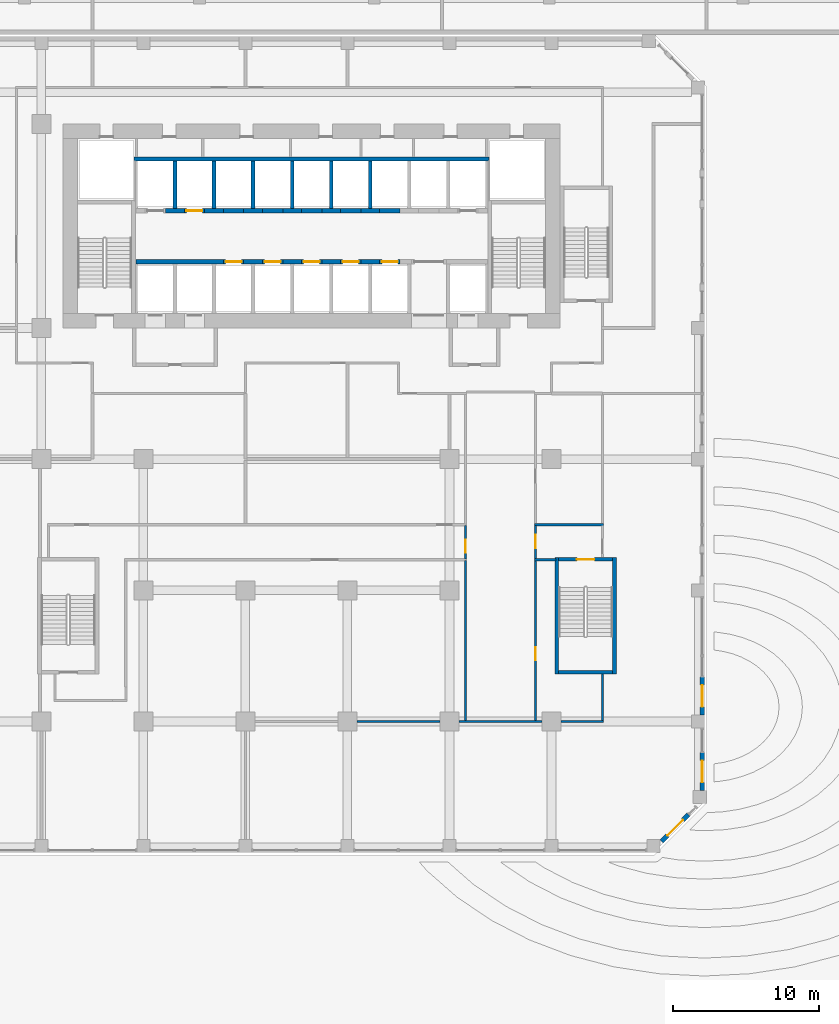
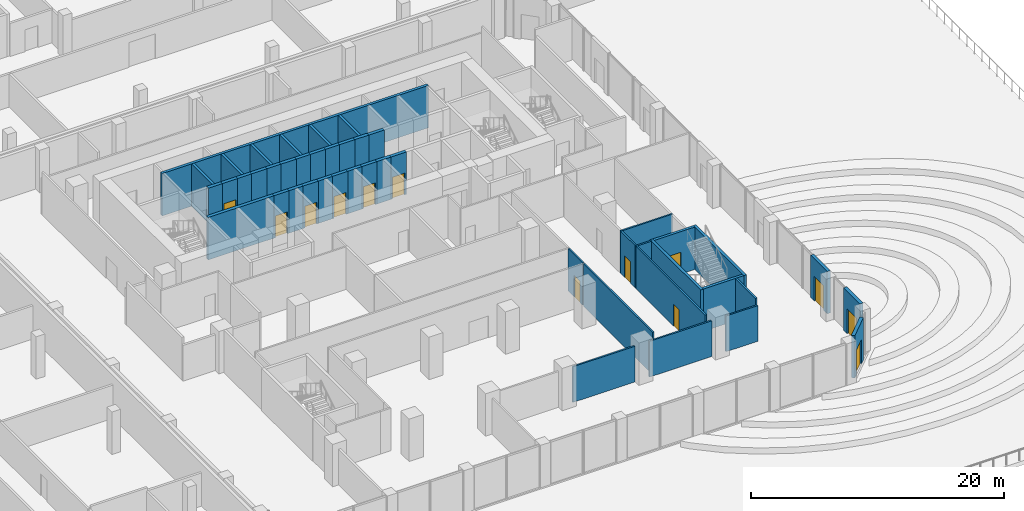
# One storey, part 22 of 38: 46 walls, 13 doors, 13 openings.
"""IFC4 building model written with IfcOpenShell, lengths in metres."""

from ifc_helpers import new_model, si_unit, direction, frame, frame_2d, origin, place, context, subcontext, project, spatial, rectangle, extrude, source, transform, mapped, material, layer, layer_set, type_object, element, fill, save


model = new_model("IFC4")

# Units and contexts
model_context = context("Model", 3, precision=1e-05, world=origin(), true_north=direction((0.0, 1.0)))
body_context = subcontext(model_context, "Body", "Model", "MODEL_VIEW")
ifc_project = project(units=[si_unit("LENGTHUNIT", "METRE"), si_unit("AREAUNIT", "SQUARE_METRE"), si_unit("VOLUMEUNIT", "CUBIC_METRE"), si_unit("PLANEANGLEUNIT", "RADIAN"), si_unit("MASSUNIT", "GRAM", prefix="KILO")], contexts=[model_context])

# Site, building, storey
site_placement = place(None, origin())
site = spatial("IfcSite", under=ifc_project, at=site_placement, CompositionType="ELEMENT")
building_placement = place(site_placement, origin())
building = spatial("IfcBuilding", under=site, at=building_placement, Name="Kilnfold Tower and Market Hall", CompositionType="ELEMENT")
storey_placement = place(building_placement, frame((0.0, 0.0, 9.0)))
storey = spatial("IfcBuildingStorey", under=building, at=storey_placement, Name="L01", CompositionType="ELEMENT", Elevation=9.0)

# Walls
ifc_material_1 = material(Name="Gypsum board on steel studs", Category="steel")
ifc_layer_1 = layer(ifc_material_1, 0.14990234375)
ifc_layer_set_1 = layer_set([ifc_layer_1], Name="Gypsum board on steel studs")
wall_type_1 = type_object("IfcWallType", Name="WALL CORRIDOR 150", PredefinedType="PARTITIONING", material=ifc_layer_set_1)
for number, where, z_axis, x_axis, name in (
    (1, (4.14990234375, -19.0, 0.0), (0.0, 0.0, 1.0), (1.0, 0.0, 0.0), "Partition LY02.4"),
    (2, (11.14990234375, -19.0, 0.0), (0.0, 0.0, 1.0), (1.0, 0.0, 0.0), "Partition LY02.5"),
):
    element("IfcWall", number, at=place(storey_placement, frame(where, z_axis=z_axis, x_axis=x_axis)), inside=storey, type_object=wall_type_1, Name=name, PredefinedType="PARTITIONING", context=body_context, shape_type="SweptSolid", body=[
        extrude(rectangle(XDim=5.7001953125, YDim=0.14990234375, at=frame_2d((2.85009765625, 0.0))), origin(), (0.0, 0.0, 1.0), 3.449951171875),
    ])
wall_1_placement = place(storey_placement, frame((18.14990234375, -19.0, 0.0), z_axis=(0.0, 0.0, 1.0), x_axis=(1.0, 0.0, 0.0)))
element("IfcWall", 3, at=wall_1_placement, inside=storey, type_object=wall_type_1, Name="Partition LY02.8", PredefinedType="PARTITIONING", context=body_context, shape_type="SweptSolid", body=[
    extrude(rectangle(XDim=2.925048828125, YDim=0.14990234375, at=frame_2d((1.46240234375, 0.0))), origin(), (0.0, 0.0, 1.0), 3.449951171875),
])
wall_2_placement = place(storey_placement, frame((21.0, -18.925048828125, 0.0), z_axis=(0.0, 0.0, 1.0), x_axis=(0.0, 1.0, 0.0)))
element("IfcWall", 4, at=wall_2_placement, inside=storey, type_object=wall_type_1, Name="Partition LY02.9", PredefinedType="PARTITIONING", context=body_context, shape_type="SweptSolid", body=[
    extrude(rectangle(XDim=3.175048828125, YDim=0.14990234375, at=frame_2d((1.58740234375, 0.0))), origin(), (0.0, 0.0, 1.0), 4.10009765625),
])

# Wall, opening, door
wall_3_placement = place(storey_placement, frame((11.60009765625, -7.8349609375, 0.0), z_axis=(0.0, 0.0, 1.0), x_axis=(0.0, 1.0, 0.0)))
wall_3 = element("IfcWall", 5, at=wall_3_placement, inside=storey, type_object=wall_type_1, Name="Partition LY02.10", PredefinedType="PARTITIONING", context=body_context, shape_type="SweptSolid", body=[
    extrude(rectangle(XDim=2.27001953125, YDim=0.14990234375, at=frame_2d((1.135009765625, 0.0))), origin(), (0.0, 0.0, 1.0), 4.10009765625),
])
opening_1_placement = place(wall_3_placement, frame((0.416015625, 0.0, 0.0)))
opening_1 = element("IfcOpeningElement", 6, at=opening_1_placement, cuts=wall_3, Name="Opening D2", PredefinedType="OPENING", context=body_context, shape_type="SweptSolid", body=[
    extrude(rectangle(XDim=0.89990234375, YDim=2.10009765625, at=frame_2d((0.449951171875, 1.050048828125))), frame((0.0, 0.0849609375, 0.0), z_axis=(0.0, -1.0, 0.0), x_axis=(1.0, 0.0, 0.0)), (0.0, 0.0, 1.0), 0.169921875),
])
ifc_material_2 = material(Name="Timber veneer door leaf in steel frame", Category="steel")
door_type_1 = type_object("IfcDoorType", Name="DOOR ROOM 900 X2100", OperationType="NOTDEFINED", PredefinedType="DOOR", material=ifc_material_2)
door_1_placement = place(opening_1_placement, origin())
door_1 = element("IfcDoor", 7, at=door_1_placement, inside=storey, type_object=door_type_1, Name="Door D2", OperationType="SINGLE_SWING_RIGHT", OverallHeight=2.10009765625, OverallWidth=0.89990234375, PredefinedType="DOOR", context=body_context, shape_type="SweptSolid", body=[
    extrude(rectangle(XDim=0.89990234375, YDim=2.10009765625, at=frame_2d((0.449951171875, 1.050048828125))), frame((0.0, 0.02490234375, 0.0), z_axis=(0.0, -1.0, 0.0), x_axis=(1.0, 0.0, 0.0)), (0.0, 0.0, 1.0), 0.050048828125),
])
fill(opening_1, door_1)

wall_4_placement = place(storey_placement, frame((16.39990234375, -7.8349609375, 0.0), z_axis=(0.0, 0.0, 1.0), x_axis=(0.0, 1.0, 0.0)))
wall_4 = element("IfcWall", 8, at=wall_4_placement, inside=storey, type_object=wall_type_1, Name="Partition LY02.11", PredefinedType="PARTITIONING", context=body_context, shape_type="SweptSolid", body=[
    extrude(rectangle(XDim=2.27001953125, YDim=0.14990234375, at=frame_2d((1.135009765625, 0.0))), origin(), (0.0, 0.0, 1.0), 4.10009765625),
])
opening_2_placement = place(wall_4_placement, frame((0.739013671875, 0.0, 0.0)))
opening_2 = element("IfcOpeningElement", 9, at=opening_2_placement, cuts=wall_4, Name="Opening D2", PredefinedType="OPENING", context=body_context, shape_type="SweptSolid", body=[
    extrude(rectangle(XDim=0.89990234375, YDim=2.10009765625, at=frame_2d((0.449951171875, 1.050048828125))), frame((0.0, 0.0849609375, 0.0), z_axis=(0.0, -1.0, 0.0), x_axis=(1.0, 0.0, 0.0)), (0.0, 0.0, 1.0), 0.169921875),
])
door_2_placement = place(opening_2_placement, origin())
door_2 = element("IfcDoor", 10, at=door_2_placement, inside=storey, type_object=door_type_1, Name="Door D2", OperationType="SINGLE_SWING_RIGHT", OverallHeight=2.10009765625, OverallWidth=0.89990234375, PredefinedType="DOOR", context=body_context, shape_type="SweptSolid", body=[
    extrude(rectangle(XDim=0.89990234375, YDim=2.10009765625, at=frame_2d((0.449951171875, 1.050048828125))), frame((0.0, 0.02490234375, 0.0), z_axis=(0.0, -1.0, 0.0), x_axis=(1.0, 0.0, 0.0)), (0.0, 0.0, 1.0), 0.050048828125),
])
fill(opening_2, door_2)

# Wall
wall_5_placement = place(storey_placement, frame((11.60009765625, -18.925048828125, 0.0), z_axis=(0.0, 0.0, 1.0), x_axis=(0.0, 1.0, 0.0)))
element("IfcWall", 11, at=wall_5_placement, inside=storey, type_object=wall_type_1, Name="Partition LY02.13", PredefinedType="PARTITIONING", context=body_context, shape_type="SweptSolid", body=[
    extrude(rectangle(XDim=10.958984375, YDim=0.14990234375, at=frame_2d((5.4794921875, 0.0))), origin(), (0.0, 0.0, 1.0), 4.10009765625),
])

# Wall, opening, door
wall_6_placement = place(storey_placement, frame((16.39990234375, -18.925048828125, 0.0), z_axis=(0.0, 0.0, 1.0), x_axis=(0.0, 1.0, 0.0)))
wall_6 = element("IfcWall", 12, at=wall_6_placement, inside=storey, type_object=wall_type_1, Name="Partition LY02.16", PredefinedType="PARTITIONING", context=body_context, shape_type="SweptSolid", body=[
    extrude(rectangle(XDim=10.958984375, YDim=0.14990234375, at=frame_2d((5.4794921875, 0.0))), origin(), (0.0, 0.0, 1.0), 4.10009765625),
])
opening_3_placement = place(wall_6_placement, frame((4.1240234375, 0.0, 0.0)))
opening_3 = element("IfcOpeningElement", 13, at=opening_3_placement, cuts=wall_6, Name="Opening D2", PredefinedType="OPENING", context=body_context, shape_type="SweptSolid", body=[
    extrude(rectangle(XDim=0.89990234375, YDim=2.10009765625, at=frame_2d((0.449951171875, 1.050048828125))), frame((0.0, 0.0849609375, 0.0), z_axis=(0.0, -1.0, 0.0), x_axis=(1.0, 0.0, 0.0)), (0.0, 0.0, 1.0), 0.169921875),
])
door_3_placement = place(opening_3_placement, origin())
door_3 = element("IfcDoor", 14, at=door_3_placement, inside=storey, type_object=door_type_1, Name="Door D2", OperationType="SINGLE_SWING_RIGHT", OverallHeight=2.10009765625, OverallWidth=0.89990234375, PredefinedType="DOOR", context=body_context, shape_type="SweptSolid", body=[
    extrude(rectangle(XDim=0.89990234375, YDim=2.10009765625, at=frame_2d((0.449951171875, 1.050048828125))), frame((0.0, 0.02490234375, 0.0), z_axis=(0.0, -1.0, 0.0), x_axis=(1.0, 0.0, 0.0)), (0.0, 0.0, 1.0), 0.050048828125),
])
fill(opening_3, door_3)

# Walls
wall_7_placement = place(storey_placement, frame((16.324951171875, -5.5, 0.0), z_axis=(0.0, 0.0, 1.0), x_axis=(1.0, 0.0, 0.0)))
element("IfcWall", 15, at=wall_7_placement, inside=storey, type_object=wall_type_1, Name="Partition LY02.25", PredefinedType="PARTITIONING", context=body_context, shape_type="SweptSolid", body=[
    extrude(rectangle(XDim=4.75, YDim=0.14990234375, at=frame_2d((2.375, 0.0))), origin(), (0.0, 0.0, 1.0), 4.10009765625),
])
wall_8_placement = place(storey_placement, frame((16.324951171875, -7.89990234375, 0.0), z_axis=(0.0, 0.0, 1.0), x_axis=(1.0, 0.0, 0.0)))
element("IfcWall", 16, at=wall_8_placement, inside=storey, type_object=wall_type_1, Name="Partition LY02.26", PredefinedType="PARTITIONING", context=body_context, shape_type="SweptSolid", body=[
    extrude(rectangle(XDim=1.47509765625, YDim=0.14990234375, at=frame_2d((0.737548828125, 0.0))), origin(), (0.0, 0.0, 1.0), 4.10009765625),
])
ifc_material_3 = material(Name="Concrete C80", Category="concrete")
ifc_layer_2 = layer(ifc_material_3, 0.25)
ifc_layer_set_2 = layer_set([ifc_layer_2], Name="Concrete C80")
wall_type_2 = type_object("IfcWallType", Name="CORE WALL 250 C80", PredefinedType="SHEAR", material=ifc_layer_set_2)
shared_shape_1 = source(origin(), body_context, "Body", "SweptSolid", [
    extrude(rectangle(XDim=3.699951171875, YDim=0.25, at=frame_2d((1.85009765625, 0.0))), origin(), (0.0, 0.0, 1.0), 4.10009765625),
])
wall_9_placement = place(storey_placement, frame((18.0, -15.625, 0.0), z_axis=(0.0, 0.0, 1.0), x_axis=(1.0, 0.0, 0.0)))
element("IfcWall", 17, at=wall_9_placement, inside=storey, type_object=wall_type_2, Name="Stair enclosure ST4", PredefinedType="SHEAR", context=body_context, shape_type="MappedRepresentation", body=[
    mapped(shared_shape_1, transform((0.0, 0.0, 0.0))),
])

# Wall, opening, door
wall_10_placement = place(storey_placement, frame((18.0, -7.875, 0.0), z_axis=(0.0, 0.0, 1.0), x_axis=(1.0, 0.0, 0.0)))
wall_10 = element("IfcWall", 18, at=wall_10_placement, inside=storey, type_object=wall_type_2, Name="Stair enclosure ST4", PredefinedType="SHEAR", context=body_context, shape_type="MappedRepresentation", body=[
    mapped(shared_shape_1, transform((0.0, 0.0, 0.0))),
])
opening_4_placement = place(wall_10_placement, frame((1.25, 0.0, 0.0)))
opening_4 = element("IfcOpeningElement", 19, at=opening_4_placement, cuts=wall_10, Name="Opening SD1", PredefinedType="OPENING", context=body_context, shape_type="SweptSolid", body=[
    extrude(rectangle(XDim=1.199951171875, YDim=2.10009765625, at=frame_2d((0.60009765625, 1.050048828125))), frame((0.0, 0.135009765625, 0.0), z_axis=(0.0, -1.0, 0.0), x_axis=(1.0, 0.0, 0.0)), (0.0, 0.0, 1.0), 0.27001953125),
])
ifc_material_4 = material(Name="Steel door set with fire-resisting leaf", Category="steel")
door_type_2 = type_object("IfcDoorType", Name="STAIR FLOOR DOOR 1200X2100", OperationType="NOTDEFINED", PredefinedType="DOOR", material=ifc_material_4)
door_4_placement = place(opening_4_placement, origin())
door_4 = element("IfcDoor", 20, at=door_4_placement, inside=storey, type_object=door_type_2, Name="Exit stair ST4 door", OperationType="DOUBLE_DOOR_SINGLE_SWING", OverallHeight=2.10009765625, OverallWidth=1.199951171875, PredefinedType="DOOR", context=body_context, shape_type="SweptSolid", body=[
    extrude(rectangle(XDim=1.199951171875, YDim=2.10009765625, at=frame_2d((0.60009765625, 1.050048828125))), frame((0.0, 0.02490234375, 0.0), z_axis=(0.0, -1.0, 0.0), x_axis=(1.0, 0.0, 0.0)), (0.0, 0.0, 1.0), 0.050048828125),
])
fill(opening_4, door_4)

# Walls
shared_shape_2 = source(origin(), body_context, "Body", "SweptSolid", [
    extrude(rectangle(XDim=8.0, YDim=0.25, at=frame_2d((4.0, 0.0))), origin(), (0.0, 0.0, 1.0), 4.10009765625),
])
for number, where, z_axis, x_axis, name in (
    (21, (17.875, -15.75, 0.0), (0.0, 0.0, 1.0), (0.0, 1.0, 0.0), "Stair enclosure ST4"),
    (22, (21.824951171875, -15.75, 0.0), (0.0, 0.0, 1.0), (0.0, 1.0, 0.0), "Stair enclosure ST4"),
):
    element("IfcWall", number, at=place(storey_placement, frame(where, z_axis=z_axis, x_axis=x_axis)), inside=storey, type_object=wall_type_2, Name=name, PredefinedType="SHEAR", context=body_context, shape_type="MappedRepresentation", body=[
        mapped(shared_shape_2, transform((0.0, 0.0, 0.0))),
    ])
ifc_material_5 = material(Name="Concrete C80", Category="concrete")
ifc_layer_3 = layer(ifc_material_5, 0.300048828125)
ifc_layer_set_3 = layer_set([ifc_layer_3], Name="Concrete C80")
wall_type_3 = type_object("IfcWallType", Name="CORE WALL 300 C80", PredefinedType="SHEAR", material=ifc_layer_set_3)
shared_shape_3 = source(origin(), body_context, "Body", "SweptSolid", [
    extrude(rectangle(XDim=6.0, YDim=0.300048828125, at=frame_2d((3.0, 0.0))), origin(), (0.0, 0.0, 1.0), 4.10009765625),
])
wall_11_placement = place(storey_placement, frame((-11.010009765625, 12.550048828125, 0.0), z_axis=(0.0, 0.0, 1.0), x_axis=(1.0, 0.0, 0.0)))
element("IfcWall", 23, at=wall_11_placement, inside=storey, type_object=wall_type_3, Name="Core spine wall", PredefinedType="SHEAR", context=body_context, shape_type="MappedRepresentation", body=[
    mapped(shared_shape_3, transform((0.0, 0.0, 0.0))),
])
shared_shape_4 = source(origin(), body_context, "Body", "SweptSolid", [
    extrude(rectangle(XDim=1.280029296875, YDim=0.300048828125, at=frame_2d((0.64013671875, 0.0))), origin(), (0.0, 0.0, 1.0), 4.10009765625),
])
for number, where, z_axis, x_axis, name in (
    (24, (-3.610107421875, 12.550048828125, 0.0), (0.0, 0.0, 1.0), (1.0, 0.0, 0.0), "Core spine wall"),
    (25, (-0.929931640625, 12.550048828125, 0.0), (0.0, 0.0, 1.0), (1.0, 0.0, 0.0), "Core spine wall"),
    (26, (1.75, 12.550048828125, 0.0), (0.0, 0.0, 1.0), (1.0, 0.0, 0.0), "Core spine wall"),
    (27, (4.429931640625, 12.550048828125, 0.0), (0.0, 0.0, 1.0), (1.0, 0.0, 0.0), "Core spine wall"),
    (28, (-8.969970703125, 16.050048828125, 0.0), (0.0, 0.0, 1.0), (1.0, 0.0, 0.0), "Core spine wall"),
    (29, (-6.2900390625, 16.050048828125, 0.0), (0.0, 0.0, 1.0), (1.0, 0.0, 0.0), "Core spine wall"),
    (30, (-3.610107421875, 16.050048828125, 0.0), (0.0, 0.0, 1.0), (1.0, 0.0, 0.0), "Core spine wall"),
    (31, (-0.929931640625, 16.050048828125, 0.0), (0.0, 0.0, 1.0), (1.0, 0.0, 0.0), "Core spine wall"),
    (32, (1.75, 16.050048828125, 0.0), (0.0, 0.0, 1.0), (1.0, 0.0, 0.0), "Core spine wall"),
    (33, (4.429931640625, 16.050048828125, 0.0), (0.0, 0.0, 1.0), (1.0, 0.0, 0.0), "Core spine wall"),
):
    element("IfcWall", number, at=place(storey_placement, frame(where, z_axis=z_axis, x_axis=x_axis)), inside=storey, type_object=wall_type_3, Name=name, PredefinedType="SHEAR", context=body_context, shape_type="MappedRepresentation", body=[
        mapped(shared_shape_4, transform((0.0, 0.0, 0.0))),
    ])

# Wall, opening, door
ifc_material_6 = material(Name="Precast concrete C50/60", Category="concrete")
ifc_layer_4 = layer(ifc_material_6, 0.300048828125)
ifc_layer_set_4 = layer_set([ifc_layer_4], Name="Precast concrete C50/60")
wall_type_4 = type_object("IfcWallType", Name="PRECAST WALL 300", PredefinedType="SOLIDWALL", material=ifc_layer_set_4)
shared_shape_5 = source(origin(), body_context, "Body", "SweptSolid", [
    extrude(rectangle(XDim=2.60009765625, YDim=0.300048828125, at=frame_2d((1.300048828125, 0.0))), origin(), (0.0, 0.0, 1.0), 4.10009765625),
])
wall_12_placement = place(storey_placement, frame((25.06884765625, -27.218994140625, 0.0), z_axis=(0.0, 0.0, 1.0), x_axis=(0.707153729152, 0.707059830104, 0.0)))
wall_12 = element("IfcWall", 34, at=wall_12_placement, inside=storey, type_object=wall_type_4, Name="Deck door wall L01 SE", PredefinedType="SOLIDWALL", context=body_context, shape_type="MappedRepresentation", body=[
    mapped(shared_shape_5, transform((0.0, 0.0, 0.0))),
])
opening_5_placement = place(wall_12_placement, frame((0.550048828125, 0.0, 0.0)))
opening_5 = element("IfcOpeningElement", 35, at=opening_5_placement, cuts=wall_12, Name="Opening DD1", PredefinedType="OPENING", context=body_context, shape_type="SweptSolid", body=[
    extrude(rectangle(XDim=1.5, YDim=2.39990234375, at=frame_2d((0.75, 1.199951171875))), frame((0.0, 0.16015625, 0.0), z_axis=(0.0, -1.0, 0.0), x_axis=(1.0, 0.0, 0.0)), (0.0, 0.0, 1.0), 0.320068359375),
])
ifc_material_7 = material(Name="Aluminium frame and toughened glass", Category="aluminium")
door_type_3 = type_object("IfcDoorType", Name="DECK DOOR 1500X2400", OperationType="NOTDEFINED", PredefinedType="DOOR", material=ifc_material_7)
door_5_placement = place(opening_5_placement, origin())
door_5 = element("IfcDoor", 36, at=door_5_placement, inside=storey, type_object=door_type_3, Name="Garden deck door DD1 L01 SE-1", OperationType="DOUBLE_DOOR_SINGLE_SWING", OverallHeight=2.39990234375, OverallWidth=1.5, PredefinedType="DOOR", context=body_context, shape_type="SweptSolid", body=[
    extrude(rectangle(XDim=1.5, YDim=2.39990234375, at=frame_2d((0.75, 1.199951171875))), frame((0.0, 0.02490234375, 0.0), z_axis=(0.0, -1.0, 0.0), x_axis=(1.0, 0.0, 0.0)), (0.0, 0.0, 1.0), 0.050048828125),
])
fill(opening_5, door_5)

wall_13_placement = place(storey_placement, frame((27.85009765625, -18.550048828125, 0.0), z_axis=(0.0, 0.0, 1.0), x_axis=(0.0, 1.0, 0.0)))
wall_13 = element("IfcWall", 37, at=wall_13_placement, inside=storey, type_object=wall_type_4, Name="Deck door wall L01 E", PredefinedType="SOLIDWALL", context=body_context, shape_type="MappedRepresentation", body=[
    mapped(shared_shape_5, transform((0.0, 0.0, 0.0))),
])
opening_6_placement = place(wall_13_placement, frame((0.550048828125, 0.0, 0.0)))
opening_6 = element("IfcOpeningElement", 38, at=opening_6_placement, cuts=wall_13, Name="Opening DD1", PredefinedType="OPENING", context=body_context, shape_type="SweptSolid", body=[
    extrude(rectangle(XDim=1.5, YDim=2.39990234375, at=frame_2d((0.75, 1.199951171875))), frame((0.0, 0.16015625, 0.0), z_axis=(0.0, -1.0, 0.0), x_axis=(1.0, 0.0, 0.0)), (0.0, 0.0, 1.0), 0.320068359375),
])
door_6_placement = place(opening_6_placement, origin())
door_6 = element("IfcDoor", 39, at=door_6_placement, inside=storey, type_object=door_type_3, Name="Garden deck door DD1 L01 E-1", OperationType="DOUBLE_DOOR_SINGLE_SWING", OverallHeight=2.39990234375, OverallWidth=1.5, PredefinedType="DOOR", context=body_context, shape_type="SweptSolid", body=[
    extrude(rectangle(XDim=1.5, YDim=2.39990234375, at=frame_2d((0.75, 1.199951171875))), frame((0.0, 0.02490234375, 0.0), z_axis=(0.0, -1.0, 0.0), x_axis=(1.0, 0.0, 0.0)), (0.0, 0.0, 1.0), 0.050048828125),
])
fill(opening_6, door_6)

shared_shape_6 = source(origin(), body_context, "Body", "SweptSolid", [
    extrude(rectangle(XDim=2.599853515625, YDim=0.300048828125, at=frame_2d((1.2998046875, 0.0))), origin(), (0.0, 0.0, 1.0), 4.10009765625),
])
wall_14_placement = place(storey_placement, frame((27.85009765625, -23.731689453125, 0.0), z_axis=(0.0, 0.0, 1.0), x_axis=(0.0, 1.0, 0.0)))
wall_14 = element("IfcWall", 40, at=wall_14_placement, inside=storey, type_object=wall_type_4, Name="Deck door wall L01 E", PredefinedType="SOLIDWALL", context=body_context, shape_type="MappedRepresentation", body=[
    mapped(shared_shape_6, transform((0.0, 0.0, 0.0))),
])
opening_7_placement = place(wall_14_placement, frame((0.550048828125, 0.0, 0.0)))
opening_7 = element("IfcOpeningElement", 41, at=opening_7_placement, cuts=wall_14, Name="Opening DD1", PredefinedType="OPENING", context=body_context, shape_type="SweptSolid", body=[
    extrude(rectangle(XDim=1.5, YDim=2.39990234375, at=frame_2d((0.75, 1.199951171875))), frame((0.0, 0.16015625, 0.0), z_axis=(0.0, -1.0, 0.0), x_axis=(1.0, 0.0, 0.0)), (0.0, 0.0, 1.0), 0.320068359375),
])
door_7_placement = place(opening_7_placement, origin())
door_7 = element("IfcDoor", 42, at=door_7_placement, inside=storey, type_object=door_type_3, Name="Garden deck door DD1 L01 E-1", OperationType="DOUBLE_DOOR_SINGLE_SWING", OverallHeight=2.39990234375, OverallWidth=1.5, PredefinedType="DOOR", context=body_context, shape_type="SweptSolid", body=[
    extrude(rectangle(XDim=1.5, YDim=2.39990234375, at=frame_2d((0.75, 1.199951171875))), frame((0.0, 0.02490234375, 0.0), z_axis=(0.0, -1.0, 0.0), x_axis=(1.0, 0.0, 0.0)), (0.0, 0.0, 1.0), 0.050048828125),
])
fill(opening_7, door_7)

ifc_material_8 = material(Name="Gypsum shaft wall system")
ifc_layer_5 = layer(ifc_material_8, 0.300048828125)
ifc_layer_set_5 = layer_set([ifc_layer_5], Name="Gypsum shaft wall system")
wall_type_5 = type_object("IfcWallType", Name="SHAFT WALL 300", PredefinedType="PARTITIONING", material=ifc_layer_set_5)
shared_shape_7 = source(origin(), body_context, "Body", "SweptSolid", [
    extrude(rectangle(XDim=1.39990234375, YDim=0.300048828125, at=frame_2d((0.699951171875, 0.0))), origin(), (0.0, 0.0, 1.0), 4.10009765625),
])
wall_15_placement = place(storey_placement, frame((-5.010009765625, 12.550048828125, 0.0), z_axis=(0.0, 0.0, 1.0), x_axis=(1.0, 0.0, 0.0)))
wall_15 = element("IfcWall", 43, at=wall_15_placement, inside=storey, type_object=wall_type_5, Name="Lift shaft front wall", PredefinedType="PARTITIONING", context=body_context, shape_type="MappedRepresentation", body=[
    mapped(shared_shape_7, transform((0.0, 0.0, 0.0))),
])
opening_8_placement = place(wall_15_placement, frame((0.14990234375, 0.0, 0.0)))
opening_8 = element("IfcOpeningElement", 44, at=opening_8_placement, cuts=wall_15, Name="Opening LD2", PredefinedType="OPENING", context=body_context, shape_type="SweptSolid", body=[
    extrude(rectangle(XDim=1.10009765625, YDim=2.10009765625, at=frame_2d((0.550048828125, 1.050048828125))), frame((0.0, 0.16015625, 0.0), z_axis=(0.0, -1.0, 0.0), x_axis=(1.0, 0.0, 0.0)), (0.0, 0.0, 1.0), 0.320068359375),
])
ifc_material_9 = material(Name="Steel door set with fire-resisting leaf", Category="steel")
door_type_4 = type_object("IfcDoorType", Name="LANDING DOOR 1100X2100", OperationType="NOTDEFINED", PredefinedType="DOOR", material=ifc_material_9)
door_8_placement = place(opening_8_placement, origin())
door_8 = element("IfcDoor", 45, at=door_8_placement, inside=storey, type_object=door_type_4, Name="Landing door LR1", OperationType="DOUBLE_DOOR_SLIDING", OverallHeight=2.10009765625, OverallWidth=1.10009765625, PredefinedType="DOOR", context=body_context, shape_type="SweptSolid", body=[
    extrude(rectangle(XDim=1.10009765625, YDim=2.10009765625, at=frame_2d((0.550048828125, 1.050048828125))), frame((0.0, 0.02490234375, 0.0), z_axis=(0.0, -1.0, 0.0), x_axis=(1.0, 0.0, 0.0)), (0.0, 0.0, 1.0), 0.050048828125),
])
fill(opening_8, door_8)

wall_16_placement = place(storey_placement, frame((0.35009765625, 12.550048828125, 0.0), z_axis=(0.0, 0.0, 1.0), x_axis=(1.0, 0.0, 0.0)))
wall_16 = element("IfcWall", 46, at=wall_16_placement, inside=storey, type_object=wall_type_5, Name="Lift shaft front wall", PredefinedType="PARTITIONING", context=body_context, shape_type="MappedRepresentation", body=[
    mapped(shared_shape_7, transform((0.0, 0.0, 0.0))),
])
opening_9_placement = place(wall_16_placement, frame((0.14990234375, 0.0, 0.0)))
opening_9 = element("IfcOpeningElement", 47, at=opening_9_placement, cuts=wall_16, Name="Opening LD2", PredefinedType="OPENING", context=body_context, shape_type="SweptSolid", body=[
    extrude(rectangle(XDim=1.10009765625, YDim=2.10009765625, at=frame_2d((0.550048828125, 1.050048828125))), frame((0.0, 0.16015625, 0.0), z_axis=(0.0, -1.0, 0.0), x_axis=(1.0, 0.0, 0.0)), (0.0, 0.0, 1.0), 0.320068359375),
])
door_9_placement = place(opening_9_placement, origin())
door_9 = element("IfcDoor", 48, at=door_9_placement, inside=storey, type_object=door_type_4, Name="Landing door LR3", OperationType="DOUBLE_DOOR_SLIDING", OverallHeight=2.10009765625, OverallWidth=1.10009765625, PredefinedType="DOOR", context=body_context, shape_type="SweptSolid", body=[
    extrude(rectangle(XDim=1.10009765625, YDim=2.10009765625, at=frame_2d((0.550048828125, 1.050048828125))), frame((0.0, 0.02490234375, 0.0), z_axis=(0.0, -1.0, 0.0), x_axis=(1.0, 0.0, 0.0)), (0.0, 0.0, 1.0), 0.050048828125),
])
fill(opening_9, door_9)

wall_17_placement = place(storey_placement, frame((3.030029296875, 12.550048828125, 0.0), z_axis=(0.0, 0.0, 1.0), x_axis=(1.0, 0.0, 0.0)))
wall_17 = element("IfcWall", 49, at=wall_17_placement, inside=storey, type_object=wall_type_5, Name="Lift shaft front wall", PredefinedType="PARTITIONING", context=body_context, shape_type="MappedRepresentation", body=[
    mapped(shared_shape_7, transform((0.0, 0.0, 0.0))),
])
opening_10_placement = place(wall_17_placement, frame((0.14990234375, 0.0, 0.0)))
opening_10 = element("IfcOpeningElement", 50, at=opening_10_placement, cuts=wall_17, Name="Opening LD2", PredefinedType="OPENING", context=body_context, shape_type="SweptSolid", body=[
    extrude(rectangle(XDim=1.10009765625, YDim=2.10009765625, at=frame_2d((0.550048828125, 1.050048828125))), frame((0.0, 0.16015625, 0.0), z_axis=(0.0, -1.0, 0.0), x_axis=(1.0, 0.0, 0.0)), (0.0, 0.0, 1.0), 0.320068359375),
])
door_10_placement = place(opening_10_placement, origin())
door_10 = element("IfcDoor", 51, at=door_10_placement, inside=storey, type_object=door_type_4, Name="Landing door LR4", OperationType="DOUBLE_DOOR_SLIDING", OverallHeight=2.10009765625, OverallWidth=1.10009765625, PredefinedType="DOOR", context=body_context, shape_type="SweptSolid", body=[
    extrude(rectangle(XDim=1.10009765625, YDim=2.10009765625, at=frame_2d((0.550048828125, 1.050048828125))), frame((0.0, 0.02490234375, 0.0), z_axis=(0.0, -1.0, 0.0), x_axis=(1.0, 0.0, 0.0)), (0.0, 0.0, 1.0), 0.050048828125),
])
fill(opening_10, door_10)

wall_18_placement = place(storey_placement, frame((-7.68994140625, 16.050048828125, 0.0), z_axis=(0.0, 0.0, 1.0), x_axis=(1.0, 0.0, 0.0)))
wall_18 = element("IfcWall", 52, at=wall_18_placement, inside=storey, type_object=wall_type_5, Name="Lift shaft front wall", PredefinedType="PARTITIONING", context=body_context, shape_type="MappedRepresentation", body=[
    mapped(shared_shape_7, transform((0.0, 0.0, 0.0))),
])
opening_11_placement = place(wall_18_placement, frame((0.14990234375, 0.0, 0.0)))
opening_11 = element("IfcOpeningElement", 53, at=opening_11_placement, cuts=wall_18, Name="Opening LD2", PredefinedType="OPENING", context=body_context, shape_type="SweptSolid", body=[
    extrude(rectangle(XDim=1.10009765625, YDim=2.10009765625, at=frame_2d((0.550048828125, 1.050048828125))), frame((0.0, 0.16015625, 0.0), z_axis=(0.0, -1.0, 0.0), x_axis=(1.0, 0.0, 0.0)), (0.0, 0.0, 1.0), 0.320068359375),
])
door_11_placement = place(opening_11_placement, origin())
door_11 = element("IfcDoor", 54, at=door_11_placement, inside=storey, type_object=door_type_4, Name="Landing door LR8", OperationType="DOUBLE_DOOR_SLIDING", OverallHeight=2.10009765625, OverallWidth=1.10009765625, PredefinedType="DOOR", context=body_context, shape_type="SweptSolid", body=[
    extrude(rectangle(XDim=1.10009765625, YDim=2.10009765625, at=frame_2d((0.550048828125, 1.050048828125))), frame((0.0, 0.02490234375, 0.0), z_axis=(0.0, -1.0, 0.0), x_axis=(1.0, 0.0, 0.0)), (0.0, 0.0, 1.0), 0.050048828125),
])
fill(opening_11, door_11)

# Walls
for number, where, z_axis, x_axis, name in (
    (55, (-5.010009765625, 16.050048828125, 0.0), (0.0, 0.0, 1.0), (1.0, 0.0, 0.0), "Lift shaft front wall"),
    (56, (0.35009765625, 16.050048828125, 0.0), (0.0, 0.0, 1.0), (1.0, 0.0, 0.0), "Lift shaft front wall"),
    (57, (3.030029296875, 16.050048828125, 0.0), (0.0, 0.0, 1.0), (1.0, 0.0, 0.0), "Lift shaft front wall"),
):
    element("IfcWall", number, at=place(storey_placement, frame(where, z_axis=z_axis, x_axis=x_axis)), inside=storey, type_object=wall_type_5, Name=name, PredefinedType="PARTITIONING", context=body_context, shape_type="MappedRepresentation", body=[
        mapped(shared_shape_7, transform((0.0, 0.0, 0.0))),
    ])

# Wall, opening, door
shared_shape_8 = source(origin(), body_context, "Body", "SweptSolid", [
    extrude(rectangle(XDim=1.400146484375, YDim=0.300048828125, at=frame_2d((0.7001953125, 0.0))), origin(), (0.0, 0.0, 1.0), 4.10009765625),
])
wall_19_placement = place(storey_placement, frame((-2.330078125, 12.550048828125, 0.0), z_axis=(0.0, 0.0, 1.0), x_axis=(1.0, 0.0, 0.0)))
wall_19 = element("IfcWall", 58, at=wall_19_placement, inside=storey, type_object=wall_type_5, Name="Lift shaft front wall", PredefinedType="PARTITIONING", context=body_context, shape_type="MappedRepresentation", body=[
    mapped(shared_shape_8, transform((0.0, 0.0, 0.0))),
])
opening_12_placement = place(wall_19_placement, frame((0.14990234375, 0.0, 0.0)))
opening_12 = element("IfcOpeningElement", 59, at=opening_12_placement, cuts=wall_19, Name="Opening LD2", PredefinedType="OPENING", context=body_context, shape_type="SweptSolid", body=[
    extrude(rectangle(XDim=1.10009765625, YDim=2.10009765625, at=frame_2d((0.550048828125, 1.050048828125))), frame((0.0, 0.16015625, 0.0), z_axis=(0.0, -1.0, 0.0), x_axis=(1.0, 0.0, 0.0)), (0.0, 0.0, 1.0), 0.320068359375),
])
door_12_placement = place(opening_12_placement, origin())
door_12 = element("IfcDoor", 60, at=door_12_placement, inside=storey, type_object=door_type_4, Name="Landing door LR2", OperationType="DOUBLE_DOOR_SLIDING", OverallHeight=2.10009765625, OverallWidth=1.10009765625, PredefinedType="DOOR", context=body_context, shape_type="SweptSolid", body=[
    extrude(rectangle(XDim=1.10009765625, YDim=2.10009765625, at=frame_2d((0.550048828125, 1.050048828125))), frame((0.0, 0.02490234375, 0.0), z_axis=(0.0, -1.0, 0.0), x_axis=(1.0, 0.0, 0.0)), (0.0, 0.0, 1.0), 0.050048828125),
])
fill(opening_12, door_12)

wall_20_placement = place(storey_placement, frame((5.7099609375, 12.550048828125, 0.0), z_axis=(0.0, 0.0, 1.0), x_axis=(1.0, 0.0, 0.0)))
wall_20 = element("IfcWall", 61, at=wall_20_placement, inside=storey, type_object=wall_type_5, Name="Lift shaft front wall", PredefinedType="PARTITIONING", context=body_context, shape_type="MappedRepresentation", body=[
    mapped(shared_shape_8, transform((0.0, 0.0, 0.0))),
])
opening_13_placement = place(wall_20_placement, frame((0.14990234375, 0.0, 0.0)))
opening_13 = element("IfcOpeningElement", 62, at=opening_13_placement, cuts=wall_20, Name="Opening LD2", PredefinedType="OPENING", context=body_context, shape_type="SweptSolid", body=[
    extrude(rectangle(XDim=1.10009765625, YDim=2.10009765625, at=frame_2d((0.550048828125, 1.050048828125))), frame((0.0, 0.16015625, 0.0), z_axis=(0.0, -1.0, 0.0), x_axis=(1.0, 0.0, 0.0)), (0.0, 0.0, 1.0), 0.320068359375),
])
door_13_placement = place(opening_13_placement, origin())
door_13 = element("IfcDoor", 63, at=door_13_placement, inside=storey, type_object=door_type_4, Name="Landing door LR5", OperationType="DOUBLE_DOOR_SLIDING", OverallHeight=2.10009765625, OverallWidth=1.10009765625, PredefinedType="DOOR", context=body_context, shape_type="SweptSolid", body=[
    extrude(rectangle(XDim=1.10009765625, YDim=2.10009765625, at=frame_2d((0.550048828125, 1.050048828125))), frame((0.0, 0.02490234375, 0.0), z_axis=(0.0, -1.0, 0.0), x_axis=(1.0, 0.0, 0.0)), (0.0, 0.0, 1.0), 0.050048828125),
])
fill(opening_13, door_13)

# Walls
for number, where, z_axis, x_axis, name in (
    (64, (-2.330078125, 16.050048828125, 0.0), (0.0, 0.0, 1.0), (1.0, 0.0, 0.0), "Lift shaft front wall"),
    (65, (5.7099609375, 16.050048828125, 0.0), (0.0, 0.0, 1.0), (1.0, 0.0, 0.0), "Lift shaft front wall"),
):
    element("IfcWall", number, at=place(storey_placement, frame(where, z_axis=z_axis, x_axis=x_axis)), inside=storey, type_object=wall_type_5, Name=name, PredefinedType="PARTITIONING", context=body_context, shape_type="MappedRepresentation", body=[
        mapped(shared_shape_8, transform((0.0, 0.0, 0.0))),
    ])
ifc_material_10 = material(Name="Gypsum shaft wall system")
ifc_layer_6 = layer(ifc_material_10, 0.25)
ifc_layer_set_6 = layer_set([ifc_layer_6], Name="Gypsum shaft wall system")
wall_type_6 = type_object("IfcWallType", Name="SHAFT WALL 250", PredefinedType="PARTITIONING", material=ifc_layer_set_6)
shared_shape_9 = source(origin(), body_context, "Body", "SweptSolid", [
    extrude(rectangle(XDim=24.3701171875, YDim=0.25, at=frame_2d((12.18505859375, 0.0))), origin(), (0.0, 0.0, 1.0), 4.10009765625),
])
wall_21_placement = place(storey_placement, frame((-11.135009765625, 19.60009765625, 0.0), z_axis=(0.0, 0.0, 1.0), x_axis=(1.0, 0.0, 0.0)))
element("IfcWall", 66, at=wall_21_placement, inside=storey, type_object=wall_type_6, Name="Lift shaft wall", PredefinedType="PARTITIONING", context=body_context, shape_type="MappedRepresentation", body=[
    mapped(shared_shape_9, transform((0.0, 0.0, 0.0))),
])
shared_shape_10 = source(origin(), body_context, "Body", "SweptSolid", [
    extrude(rectangle(XDim=3.275146484375, YDim=0.25, at=frame_2d((1.6376953125, 0.0))), origin(), (0.0, 0.0, 1.0), 4.10009765625),
])
for number, where, z_axis, x_axis, name in (
    (67, (2.389892578125, 16.199951171875, 0.0), (0.0, 0.0, 1.0), (0.0, 1.0, 0.0), "Lift shaft wall"),
    (68, (5.070068359375, 16.199951171875, 0.0), (0.0, 0.0, 1.0), (0.0, 1.0, 0.0), "Lift shaft wall"),
    (69, (-0.2900390625, 16.199951171875, 0.0), (0.0, 0.0, 1.0), (0.0, 1.0, 0.0), "Lift shaft wall"),
    (70, (-2.969970703125, 16.199951171875, 0.0), (0.0, 0.0, 1.0), (0.0, 1.0, 0.0), "Lift shaft wall"),
    (71, (-5.64990234375, 16.199951171875, 0.0), (0.0, 0.0, 1.0), (0.0, 1.0, 0.0), "Lift shaft wall"),
    (72, (-8.330078125, 16.199951171875, 0.0), (0.0, 0.0, 1.0), (0.0, 1.0, 0.0), "Lift shaft wall"),
):
    element("IfcWall", number, at=place(storey_placement, frame(where, z_axis=z_axis, x_axis=x_axis)), inside=storey, type_object=wall_type_6, Name=name, PredefinedType="PARTITIONING", context=body_context, shape_type="MappedRepresentation", body=[
        mapped(shared_shape_10, transform((0.0, 0.0, 0.0))),
    ])

save(model, "model.ifc")
